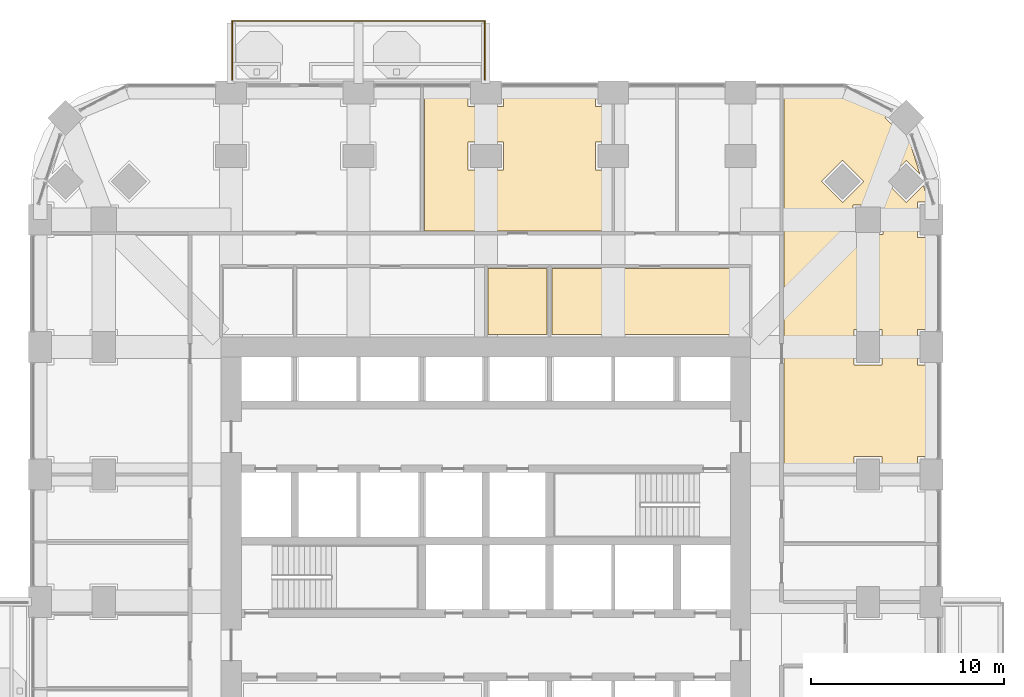
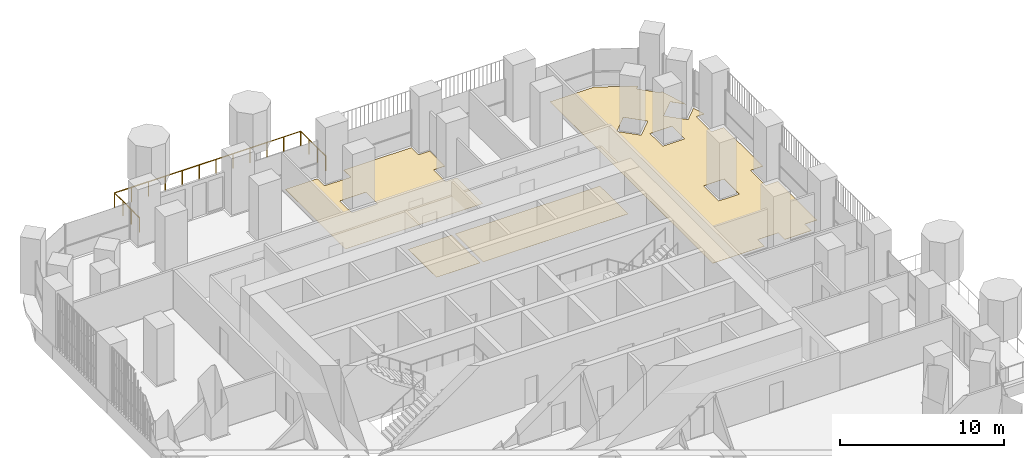
# One storey, part 20 of 21: 4 coverings, 1 railing.
"""IFC4 building model written with IfcOpenShell, lengths in metres."""

from ifc_helpers import new_model, si_unit, direction, frame, origin, place, context, subcontext, project, spatial, polyline, outline, extrude, material, layer, layer_set, type_object, element, save


model = new_model("IFC4")

# Units and contexts
model_context = context("Model", 3, precision=1e-05, world=origin(), true_north=direction((0.0, 1.0)))
body_context = subcontext(model_context, "Body", "Model", "MODEL_VIEW")
ifc_project = project(units=[si_unit("LENGTHUNIT", "METRE"), si_unit("AREAUNIT", "SQUARE_METRE"), si_unit("VOLUMEUNIT", "CUBIC_METRE"), si_unit("PLANEANGLEUNIT", "RADIAN"), si_unit("MASSUNIT", "GRAM", prefix="KILO")], contexts=[model_context])

# Site, building, storey
site_placement = place(None, origin())
site = spatial("IfcSite", under=ifc_project, at=site_placement, CompositionType="ELEMENT")
building_placement = place(site_placement, origin())
building = spatial("IfcBuilding", under=site, at=building_placement, Name="Cobogo Forest Laboratory Tower", CompositionType="ELEMENT")
storey_placement = place(building_placement, frame((0.0, 0.0, 99.0)))
storey = spatial("IfcBuildingStorey", under=building, at=storey_placement, Name="L22", CompositionType="ELEMENT", Elevation=99.0)

# Railing
ifc_material_1 = material(Name="Laminated glass balustrade", Category="glass")
railing_type = type_object("IfcRailingType", Name="BG1 glass balustrade 1100", PredefinedType="GUARDRAIL", material=ifc_material_1)
railing_placement = place(storey_placement, frame((13.25, 46.85009765625, 0.0)))
element("IfcRailing", 1, at=railing_placement, inside=storey, type_object=railing_type, Name="Balcony balustrade BAL-N1 L22", PredefinedType="GUARDRAIL", context=body_context, shape_type="SweptSolid", body=[
    extrude(outline(polyline([(0.022216796875, 0.00927734375), (0.00927734375, 0.022216796875), (-0.00927734375, 0.022216796875), (-0.022216796875, 0.00927734375), (-0.022216796875, -0.00927734375), (-0.00927734375, -0.022216796875), (0.00927734375, -0.022216796875), (0.022216796875, -0.00927734375), (0.022216796875, 0.00927734375)])), frame((0.0, 0.0, 1.077880859375), z_axis=(0.0, 1.0, 0.0), x_axis=(-1.0, 0.0, 0.0)), (0.0, 0.0, 1.0), 3.0498046875),
    extrude(outline(polyline([(0.022216796875, 0.00927734375), (0.00927734375, 0.022216796875), (-0.00927734375, 0.022216796875), (-0.022216796875, 0.00927734375), (-0.022216796875, -0.00927734375), (-0.00927734375, -0.022216796875), (0.00927734375, -0.022216796875), (0.022216796875, -0.00927734375), (0.022216796875, 0.00927734375)])), frame((0.0, 3.0498046875, 1.077880859375), z_axis=(1.0, 0.0, 0.0), x_axis=(0.0, 1.0, 0.0)), (0.0, 0.0, 1.0), 13.10009765625),
    extrude(outline(polyline([(0.022216796875, 0.00927734375), (0.00927734375, 0.022216796875), (-0.00927734375, 0.022216796875), (-0.022216796875, 0.00927734375), (-0.022216796875, -0.00927734375), (-0.00927734375, -0.022216796875), (0.00927734375, -0.022216796875), (0.022216796875, -0.00927734375), (0.022216796875, 0.00927734375)])), frame((13.10009765625, 3.0498046875, 1.077880859375), z_axis=(0.0, -1.0, 0.0), x_axis=(1.0, 0.0, 0.0)), (0.0, 0.0, 1.0), 3.0498046875),
    extrude(outline(polyline([(0.019287109375, 0.008056640625), (0.008056640625, 0.019287109375), (-0.008056640625, 0.019287109375), (-0.019287109375, 0.008056640625), (-0.019287109375, -0.008056640625), (-0.008056640625, -0.019287109375), (0.008056640625, -0.019287109375), (0.019287109375, -0.008056640625), (0.019287109375, 0.008056640625)])), origin(), (0.0, 0.0, 1.0), 1.077880859375),
    extrude(outline(polyline([(0.019287109375, 0.008056640625), (0.008056640625, 0.019287109375), (-0.008056640625, 0.019287109375), (-0.019287109375, 0.008056640625), (-0.019287109375, -0.008056640625), (-0.008056640625, -0.019287109375), (0.008056640625, -0.019287109375), (0.019287109375, -0.008056640625), (0.019287109375, 0.008056640625)])), frame((0.0, 1.0166015625, 0.0)), (0.0, 0.0, 1.0), 1.077880859375),
    extrude(outline(polyline([(0.019287109375, 0.008056640625), (0.008056640625, 0.019287109375), (-0.008056640625, 0.019287109375), (-0.019287109375, 0.008056640625), (-0.019287109375, -0.008056640625), (-0.008056640625, -0.019287109375), (0.008056640625, -0.019287109375), (0.019287109375, -0.008056640625), (0.019287109375, 0.008056640625)])), frame((0.0, 2.033203125, 0.0)), (0.0, 0.0, 1.0), 1.077880859375),
    extrude(outline(polyline([(0.019287109375, 0.008056640625), (0.008056640625, 0.019287109375), (-0.008056640625, 0.019287109375), (-0.019287109375, 0.008056640625), (-0.019287109375, -0.008056640625), (-0.008056640625, -0.019287109375), (0.008056640625, -0.019287109375), (0.019287109375, -0.008056640625), (0.019287109375, 0.008056640625)])), frame((0.0, 3.0498046875, 0.0)), (0.0, 0.0, 1.0), 1.077880859375),
    extrude(outline(polyline([(0.019287109375, 0.008056640625), (0.008056640625, 0.019287109375), (-0.008056640625, 0.019287109375), (-0.019287109375, 0.008056640625), (-0.019287109375, -0.008056640625), (-0.008056640625, -0.019287109375), (0.008056640625, -0.019287109375), (0.019287109375, -0.008056640625), (0.019287109375, 0.008056640625)])), frame((1.19091796875, 3.0498046875, 0.0)), (0.0, 0.0, 1.0), 1.077880859375),
    extrude(outline(polyline([(0.019287109375, 0.008056640625), (0.008056640625, 0.019287109375), (-0.008056640625, 0.019287109375), (-0.019287109375, 0.008056640625), (-0.019287109375, -0.008056640625), (-0.008056640625, -0.019287109375), (0.008056640625, -0.019287109375), (0.019287109375, -0.008056640625), (0.019287109375, 0.008056640625)])), frame((2.3818359375, 3.0498046875, 0.0)), (0.0, 0.0, 1.0), 1.077880859375),
    extrude(outline(polyline([(0.019287109375, 0.008056640625), (0.008056640625, 0.019287109375), (-0.008056640625, 0.019287109375), (-0.019287109375, 0.008056640625), (-0.019287109375, -0.008056640625), (-0.008056640625, -0.019287109375), (0.008056640625, -0.019287109375), (0.019287109375, -0.008056640625), (0.019287109375, 0.008056640625)])), frame((3.57275390625, 3.0498046875, 0.0)), (0.0, 0.0, 1.0), 1.077880859375),
    extrude(outline(polyline([(0.019287109375, 0.008056640625), (0.008056640625, 0.019287109375), (-0.008056640625, 0.019287109375), (-0.019287109375, 0.008056640625), (-0.019287109375, -0.008056640625), (-0.008056640625, -0.019287109375), (0.008056640625, -0.019287109375), (0.019287109375, -0.008056640625), (0.019287109375, 0.008056640625)])), frame((4.763671875, 3.0498046875, 0.0)), (0.0, 0.0, 1.0), 1.077880859375),
    extrude(outline(polyline([(0.019287109375, 0.008056640625), (0.008056640625, 0.019287109375), (-0.008056640625, 0.019287109375), (-0.019287109375, 0.008056640625), (-0.019287109375, -0.008056640625), (-0.008056640625, -0.019287109375), (0.008056640625, -0.019287109375), (0.019287109375, -0.008056640625), (0.019287109375, 0.008056640625)])), frame((5.95458984375, 3.0498046875, 0.0)), (0.0, 0.0, 1.0), 1.077880859375),
    extrude(outline(polyline([(0.019287109375, 0.008056640625), (0.008056640625, 0.019287109375), (-0.008056640625, 0.019287109375), (-0.019287109375, 0.008056640625), (-0.019287109375, -0.008056640625), (-0.008056640625, -0.019287109375), (0.008056640625, -0.019287109375), (0.019287109375, -0.008056640625), (0.019287109375, 0.008056640625)])), frame((7.1455078125, 3.0498046875, 0.0)), (0.0, 0.0, 1.0), 1.077880859375),
    extrude(outline(polyline([(0.019287109375, 0.008056640625), (0.008056640625, 0.019287109375), (-0.008056640625, 0.019287109375), (-0.019287109375, 0.008056640625), (-0.019287109375, -0.008056640625), (-0.008056640625, -0.019287109375), (0.008056640625, -0.019287109375), (0.019287109375, -0.008056640625), (0.019287109375, 0.008056640625)])), frame((8.33642578125, 3.0498046875, 0.0)), (0.0, 0.0, 1.0), 1.077880859375),
    extrude(outline(polyline([(0.019287109375, 0.008056640625), (0.008056640625, 0.019287109375), (-0.008056640625, 0.019287109375), (-0.019287109375, 0.008056640625), (-0.019287109375, -0.008056640625), (-0.008056640625, -0.019287109375), (0.008056640625, -0.019287109375), (0.019287109375, -0.008056640625), (0.019287109375, 0.008056640625)])), frame((9.52734375, 3.0498046875, 0.0)), (0.0, 0.0, 1.0), 1.077880859375),
    extrude(outline(polyline([(0.019287109375, 0.008056640625), (0.008056640625, 0.019287109375), (-0.008056640625, 0.019287109375), (-0.019287109375, 0.008056640625), (-0.019287109375, -0.008056640625), (-0.008056640625, -0.019287109375), (0.008056640625, -0.019287109375), (0.019287109375, -0.008056640625), (0.019287109375, 0.008056640625)])), frame((10.71826171875, 3.0498046875, 0.0)), (0.0, 0.0, 1.0), 1.077880859375),
    extrude(outline(polyline([(0.019287109375, 0.008056640625), (0.008056640625, 0.019287109375), (-0.008056640625, 0.019287109375), (-0.019287109375, 0.008056640625), (-0.019287109375, -0.008056640625), (-0.008056640625, -0.019287109375), (0.008056640625, -0.019287109375), (0.019287109375, -0.008056640625), (0.019287109375, 0.008056640625)])), frame((11.9091796875, 3.0498046875, 0.0)), (0.0, 0.0, 1.0), 1.077880859375),
    extrude(outline(polyline([(0.019287109375, 0.008056640625), (0.008056640625, 0.019287109375), (-0.008056640625, 0.019287109375), (-0.019287109375, 0.008056640625), (-0.019287109375, -0.008056640625), (-0.008056640625, -0.019287109375), (0.008056640625, -0.019287109375), (0.019287109375, -0.008056640625), (0.019287109375, 0.008056640625)])), frame((13.10009765625, 3.0498046875, 0.0)), (0.0, 0.0, 1.0), 1.077880859375),
    extrude(outline(polyline([(0.019287109375, 0.008056640625), (0.008056640625, 0.019287109375), (-0.008056640625, 0.019287109375), (-0.019287109375, 0.008056640625), (-0.019287109375, -0.008056640625), (-0.008056640625, -0.019287109375), (0.008056640625, -0.019287109375), (0.019287109375, -0.008056640625), (0.019287109375, 0.008056640625)])), frame((13.10009765625, 2.033203125, 0.0)), (0.0, 0.0, 1.0), 1.077880859375),
    extrude(outline(polyline([(0.019287109375, 0.008056640625), (0.008056640625, 0.019287109375), (-0.008056640625, 0.019287109375), (-0.019287109375, 0.008056640625), (-0.019287109375, -0.008056640625), (-0.008056640625, -0.019287109375), (0.008056640625, -0.019287109375), (0.019287109375, -0.008056640625), (0.019287109375, 0.008056640625)])), frame((13.10009765625, 1.0166015625, 0.0)), (0.0, 0.0, 1.0), 1.077880859375),
    extrude(outline(polyline([(0.019287109375, 0.008056640625), (0.008056640625, 0.019287109375), (-0.008056640625, 0.019287109375), (-0.019287109375, 0.008056640625), (-0.019287109375, -0.008056640625), (-0.008056640625, -0.019287109375), (0.008056640625, -0.019287109375), (0.019287109375, -0.008056640625), (0.019287109375, 0.008056640625)])), frame((13.10009765625, 0.0, 0.0)), (0.0, 0.0, 1.0), 1.077880859375),
])

# Coverings
ifc_material_2 = material(Name="Carpet tile on raised access floor", Category="flooring")
ifc_layer_1 = layer(ifc_material_2, 0.008056640625)
ifc_layer_set_1 = layer_set([ifc_layer_1], Name="CT1 carpet tile floor 8")
covering_type_1 = type_object("IfcCoveringType", Name="CT1 carpet tile floor 8", PredefinedType="FLOORING", material=ifc_layer_set_1)
covering_1_placement = place(storey_placement, origin())
element("IfcCovering", 2, at=covering_1_placement, inside=storey, type_object=covering_type_1, Name="Carpet floor L22-20", PredefinedType="FLOORING", context=body_context, shape_type="SweptSolid", body=[
    extrude(outline(polyline([(41.844970703125, 46.35009765625), (44.95068359375, 46.35009765625), (47.3193359375, 45.1083984375), (47.093017578125, 44.882080078125), (48.181884765625, 43.79296875), (48.283935546875, 43.89501953125), (48.89599609375, 41.95703125), (48.181884765625, 42.6708984375), (47.093017578125, 41.58203125), (48.181884765625, 40.492919921875), (49.075927734375, 41.386962890625), (49.349853515625, 40.52001953125), (48.780029296875, 40.52001953125), (48.780029296875, 38.679931640625), (49.64990234375, 38.679931640625), (49.64990234375, 33.919921875), (48.780029296875, 33.919921875), (48.780029296875, 32.080078125), (49.64990234375, 32.080078125), (49.64990234375, 27.320068359375), (48.780029296875, 27.320068359375), (48.780029296875, 26.52001953125), (46.919921875, 26.52001953125), (46.919921875, 27.320068359375), (45.47998046875, 27.320068359375), (45.47998046875, 26.52001953125), (41.844970703125, 26.52001953125), (41.844970703125, 46.35009765625)]), holes=[polyline([(45.429931640625, 40.3701171875), (45.429931640625, 38.830078125), (46.969970703125, 38.830078125), (46.969970703125, 40.3701171875), (45.429931640625, 40.3701171875)]), polyline([(46.919921875, 32.080078125), (46.919921875, 33.919921875), (45.47998046875, 33.919921875), (45.47998046875, 32.080078125), (46.919921875, 32.080078125)]), polyline([(43.79296875, 41.58203125), (44.882080078125, 40.492919921875), (45.970947265625, 41.58203125), (44.882080078125, 42.6708984375), (43.79296875, 41.58203125)])]), origin(), (0.0, 0.0, 1.0), 0.008056640625),
])
ifc_material_3 = material(Name="Epoxy resin flooring", Category="flooring")
ifc_layer_2 = layer(ifc_material_3, 0.00390625)
ifc_layer_set_2 = layer_set([ifc_layer_2], Name="LF1 epoxy laboratory floor 4")
covering_type_2 = type_object("IfcCoveringType", Name="LF1 epoxy laboratory floor 4", PredefinedType="FLOORING", material=ifc_layer_set_2)
covering_2_placement = place(storey_placement, origin())
element("IfcCovering", 3, at=covering_2_placement, inside=storey, type_object=covering_type_2, Name="Epoxy laboratory floor L22-04", PredefinedType="FLOORING", context=body_context, shape_type="SweptSolid", body=[
    extrude(outline(polyline([(40.0048828125, 33.64501953125), (29.820068359375, 33.64501953125), (29.820068359375, 37.080078125), (40.0048828125, 37.080078125), (40.0048828125, 33.64501953125)])), origin(), (0.0, 0.0, 1.0), 0.00390625),
])
ifc_material_4 = material(Name="Ceramic floor tile", Category="flooring")
ifc_layer_3 = layer(ifc_material_4, 0.010009765625)
ifc_layer_set_3 = layer_set([ifc_layer_3], Name="TF1 ceramic tile floor 10")
covering_type_3 = type_object("IfcCoveringType", Name="TF1 ceramic tile floor 10", PredefinedType="FLOORING", material=ifc_layer_set_3)
covering_3_placement = place(storey_placement, origin())
element("IfcCovering", 4, at=covering_3_placement, inside=storey, type_object=covering_type_3, Name="Tile floor L22-03", PredefinedType="FLOORING", context=body_context, shape_type="SweptSolid", body=[
    extrude(outline(polyline([(29.580078125, 33.64501953125), (26.52001953125, 33.64501953125), (26.52001953125, 37.080078125), (29.580078125, 37.080078125), (29.580078125, 33.64501953125)])), origin(), (0.0, 0.0, 1.0), 0.010009765625),
])
covering_4_placement = place(storey_placement, origin())
element("IfcCovering", 5, at=covering_4_placement, inside=storey, type_object=covering_type_3, Name="Tile floor L22-22", PredefinedType="FLOORING", context=body_context, shape_type="SweptSolid", body=[
    extrude(outline(polyline([(23.219970703125, 39.02001953125), (23.219970703125, 46.35009765625), (25.47998046875, 46.35009765625), (25.47998046875, 45.47998046875), (27.320068359375, 45.47998046875), (27.320068359375, 46.35009765625), (32.080078125, 46.35009765625), (32.080078125, 45.47998046875), (32.8798828125, 45.47998046875), (32.8798828125, 43.6201171875), (32.080078125, 43.6201171875), (32.080078125, 42.179931640625), (32.8798828125, 42.179931640625), (32.8798828125, 39.02001953125), (23.219970703125, 39.02001953125)]), holes=[polyline([(25.47998046875, 43.6201171875), (25.47998046875, 42.179931640625), (27.320068359375, 42.179931640625), (27.320068359375, 43.6201171875), (25.47998046875, 43.6201171875)])]), origin(), (0.0, 0.0, 1.0), 0.010009765625),
])

save(model, "model.ifc")
